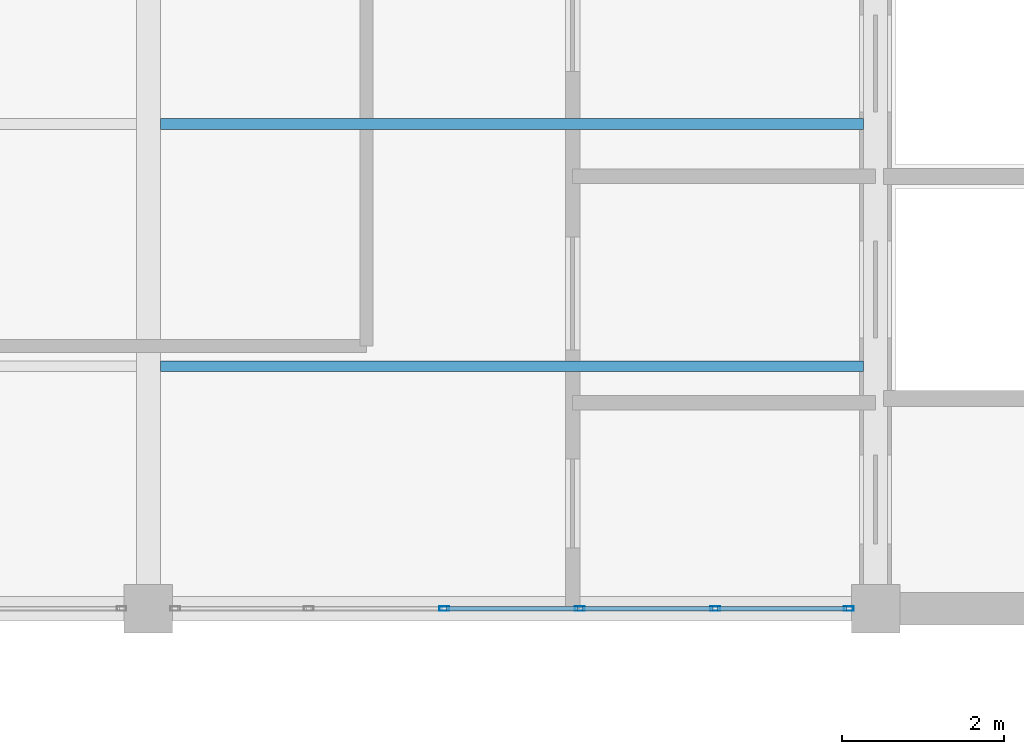
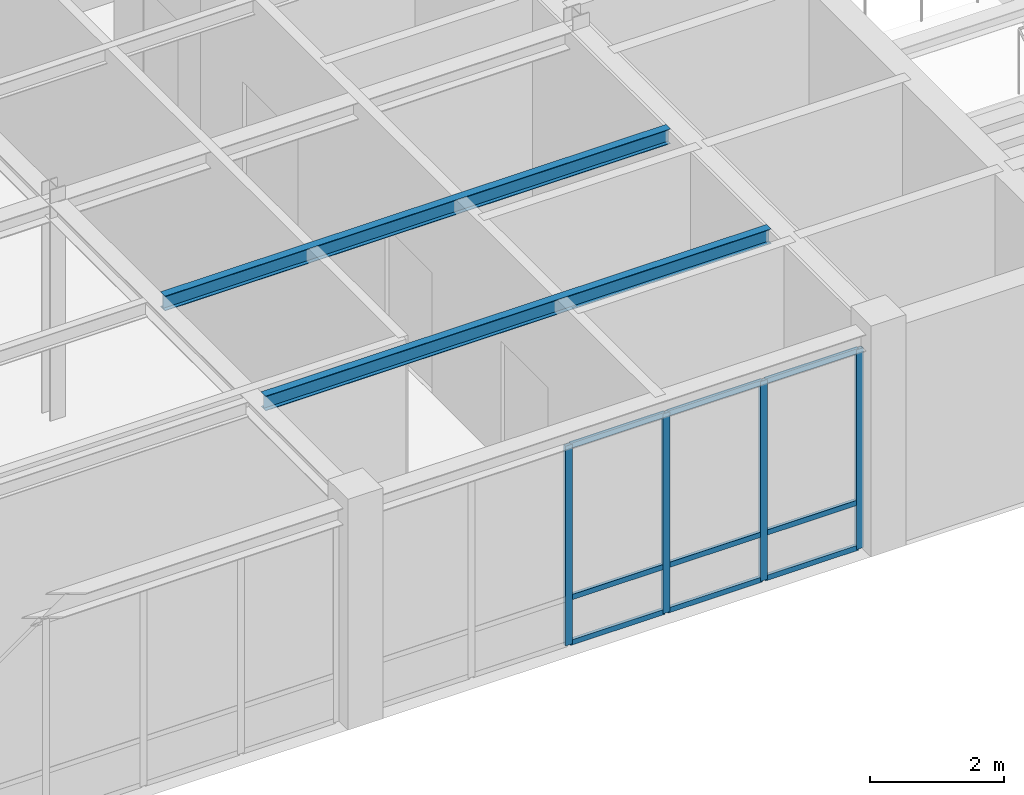
# One storey, part 95 of 130: 13 members, 2 beams, 1 element without a shape of its own.
"""IFC4 building model written with IfcOpenShell, lengths in metres."""

from ifc_helpers import new_model, si_unit, direction, frame, origin, origin_2d, place, context, subcontext, project, spatial, hollow_rectangle, i_section, extrude, material, material_profile, profile_set, type_object, element, aggregate, save


model = new_model("IFC4")

# Units and contexts
model_context = context("Model", 3, precision=1e-05, world=origin(), true_north=direction((0.0, 1.0)))
body_context = subcontext(model_context, "Body", "Model", "MODEL_VIEW")
ifc_project = project(units=[si_unit("LENGTHUNIT", "METRE"), si_unit("AREAUNIT", "SQUARE_METRE"), si_unit("VOLUMEUNIT", "CUBIC_METRE"), si_unit("PLANEANGLEUNIT", "RADIAN"), si_unit("MASSUNIT", "GRAM", prefix="KILO")], contexts=[model_context])

# Site, building, storey
site_placement = place(None, origin())
site = spatial("IfcSite", under=ifc_project, at=site_placement, CompositionType="ELEMENT")
building_placement = place(site_placement, origin())
building = spatial("IfcBuilding", under=site, at=building_placement, Name="Lykobir Media Centre", CompositionType="ELEMENT")
storey_placement = place(building_placement, frame((0.0, 0.0, 19.199951171875)))
storey = spatial("IfcBuildingStorey", under=building, at=storey_placement, Name="L04", CompositionType="ELEMENT", Elevation=19.199951171875)

# Curtain wall, members
ifc_material_1 = material(Name="Anodized Aluminium AW-6060", Category="aluminium")
curtain_wall_type = type_object("IfcCurtainWallType", Name="CW-COURT-B", PredefinedType="NOTDEFINED", material=ifc_material_1)
curtain_wall_placement = place(storey_placement, origin())
curtain_wall = element("IfcCurtainWall", 1, at=curtain_wall_placement, inside=storey, type_object=curtain_wall_type, Name="Curtain wall CW2-L04-0180", PredefinedType="NOTDEFINED")
ifc_material_profile_1 = material_profile(ifc_material_1, hollow_rectangle(XDim=0.054931640625, YDim=0.1201171875, WallThickness=0.003173828125, at=origin_2d()), Name="ALU MULLION 55x120")
ifc_profile_set_1 = profile_set([ifc_material_profile_1], Name="Anodized Aluminium AW-6060")
member_type_1 = type_object("IfcMemberType", Name="CWM-120", PredefinedType="MULLION", material=ifc_profile_set_1)
member_1_placement = place(storey_placement, frame((125.66748046875, 72.0, 0.0), z_axis=(0.0, 0.0, 1.0), x_axis=(0.0, -1.0, 0.0)))
member_1 = element("IfcMember", 2, at=member_1_placement, type_object=member_type_1, Name="CW2-L04-0180 mullion 1", PredefinedType="MULLION", context=body_context, shape_type="SweptSolid", body=[
    extrude(hollow_rectangle(XDim=0.054931640625, YDim=0.1201171875, WallThickness=0.003173828125, at=origin_2d()), origin(), (0.0, 0.0, 1.0), 3.635009765625),
])
member_2_placement = place(storey_placement, frame((124.01708984375, 72.0, 0.0), z_axis=(0.0, 0.0, 1.0), x_axis=(0.0, -1.0, 0.0)))
member_2 = element("IfcMember", 3, at=member_2_placement, type_object=member_type_1, Name="CW2-L04-0180 mullion 2", PredefinedType="MULLION", context=body_context, shape_type="SweptSolid", body=[
    extrude(hollow_rectangle(XDim=0.054931640625, YDim=0.1201171875, WallThickness=0.003173828125, at=origin_2d()), origin(), (0.0, 0.0, 1.0), 3.635009765625),
])
member_3_placement = place(storey_placement, frame((122.339111328125, 72.0, 0.0), z_axis=(0.0, 0.0, 1.0), x_axis=(0.0, -1.0, 0.0)))
member_3 = element("IfcMember", 4, at=member_3_placement, type_object=member_type_1, Name="CW2-L04-0180 mullion 3", PredefinedType="MULLION", context=body_context, shape_type="SweptSolid", body=[
    extrude(hollow_rectangle(XDim=0.054931640625, YDim=0.1201171875, WallThickness=0.003173828125, at=origin_2d()), origin(), (0.0, 0.0, 1.0), 3.635009765625),
])
member_4_placement = place(storey_placement, frame((120.660888671875, 72.0, 0.0), z_axis=(0.0, 0.0, 1.0), x_axis=(0.0, -1.0, 0.0)))
member_4 = element("IfcMember", 5, at=member_4_placement, type_object=member_type_1, Name="CW2-L04-0180 mullion 4", PredefinedType="MULLION", context=body_context, shape_type="SweptSolid", body=[
    extrude(hollow_rectangle(XDim=0.054931640625, YDim=0.1201171875, WallThickness=0.003173828125, at=origin_2d()), origin(), (0.0, 0.0, 1.0), 3.635009765625),
])
ifc_material_profile_2 = material_profile(ifc_material_1, hollow_rectangle(XDim=0.054931640625, YDim=0.094970703125, WallThickness=0.0029296875, at=origin_2d()), Name="ALU TRANSOM 55x95")
ifc_profile_set_2 = profile_set([ifc_material_profile_2], Name="Anodized Aluminium AW-6060")
member_type_2 = type_object("IfcMemberType", Name="CWT-095", PredefinedType="USERDEFINED", material=ifc_profile_set_2)
member_5_placement = place(storey_placement, frame((125.639892578125, 72.0, 0.027587890625), z_axis=(-1.0, 0.0, 0.0), x_axis=(0.0, -1.0, 0.0)))
member_5 = element("IfcMember", 6, at=member_5_placement, type_object=member_type_2, Name="CW2-L04-0180 transom 1.1", ObjectType="TRANSOM", PredefinedType="USERDEFINED", context=body_context, shape_type="SweptSolid", body=[
    extrude(hollow_rectangle(XDim=0.054931640625, YDim=0.094970703125, WallThickness=0.0029296875, at=origin_2d()), origin(), (0.0, 0.0, 1.0), 1.595458984375),
])
member_6_placement = place(storey_placement, frame((125.639892578125, 72.0, 0.85009765625), z_axis=(-1.0, 0.0, 0.0), x_axis=(0.0, -1.0, 0.0)))
member_6 = element("IfcMember", 7, at=member_6_placement, type_object=member_type_2, Name="CW2-L04-0180 transom 1.2", ObjectType="TRANSOM", PredefinedType="USERDEFINED", context=body_context, shape_type="SweptSolid", body=[
    extrude(hollow_rectangle(XDim=0.054931640625, YDim=0.094970703125, WallThickness=0.0029296875, at=origin_2d()), origin(), (0.0, 0.0, 1.0), 1.595458984375),
])
member_7_placement = place(storey_placement, frame((125.639892578125, 72.0, 3.607666015625), z_axis=(-1.0, 0.0, 0.0), x_axis=(0.0, -1.0, 0.0)))
member_7 = element("IfcMember", 8, at=member_7_placement, type_object=member_type_2, Name="CW2-L04-0180 transom 1.3", ObjectType="TRANSOM", PredefinedType="USERDEFINED", context=body_context, shape_type="SweptSolid", body=[
    extrude(hollow_rectangle(XDim=0.054931640625, YDim=0.094970703125, WallThickness=0.0029296875, at=origin_2d()), origin(), (0.0, 0.0, 1.0), 1.595458984375),
])
member_8_placement = place(storey_placement, frame((123.989501953125, 72.0, 0.027587890625), z_axis=(-1.0, 0.0, 0.0), x_axis=(0.0, -1.0, 0.0)))
member_8 = element("IfcMember", 9, at=member_8_placement, type_object=member_type_2, Name="CW2-L04-0180 transom 2.1", ObjectType="TRANSOM", PredefinedType="USERDEFINED", context=body_context, shape_type="SweptSolid", body=[
    extrude(hollow_rectangle(XDim=0.054931640625, YDim=0.094970703125, WallThickness=0.0029296875, at=origin_2d()), origin(), (0.0, 0.0, 1.0), 1.623046875),
])
member_9_placement = place(storey_placement, frame((123.989501953125, 72.0, 0.85009765625), z_axis=(-1.0, 0.0, 0.0), x_axis=(0.0, -1.0, 0.0)))
member_9 = element("IfcMember", 10, at=member_9_placement, type_object=member_type_2, Name="CW2-L04-0180 transom 2.2", ObjectType="TRANSOM", PredefinedType="USERDEFINED", context=body_context, shape_type="SweptSolid", body=[
    extrude(hollow_rectangle(XDim=0.054931640625, YDim=0.094970703125, WallThickness=0.0029296875, at=origin_2d()), origin(), (0.0, 0.0, 1.0), 1.623046875),
])
member_10_placement = place(storey_placement, frame((123.989501953125, 72.0, 3.607666015625), z_axis=(-1.0, 0.0, 0.0), x_axis=(0.0, -1.0, 0.0)))
member_10 = element("IfcMember", 11, at=member_10_placement, type_object=member_type_2, Name="CW2-L04-0180 transom 2.3", ObjectType="TRANSOM", PredefinedType="USERDEFINED", context=body_context, shape_type="SweptSolid", body=[
    extrude(hollow_rectangle(XDim=0.054931640625, YDim=0.094970703125, WallThickness=0.0029296875, at=origin_2d()), origin(), (0.0, 0.0, 1.0), 1.623046875),
])
member_11_placement = place(storey_placement, frame((122.3115234375, 72.0, 0.027587890625), z_axis=(-1.0, 0.0, 0.0), x_axis=(0.0, -1.0, 0.0)))
member_11 = element("IfcMember", 12, at=member_11_placement, type_object=member_type_2, Name="CW2-L04-0180 transom 3.1", ObjectType="TRANSOM", PredefinedType="USERDEFINED", context=body_context, shape_type="SweptSolid", body=[
    extrude(hollow_rectangle(XDim=0.054931640625, YDim=0.094970703125, WallThickness=0.0029296875, at=origin_2d()), origin(), (0.0, 0.0, 1.0), 1.623046875),
])
member_12_placement = place(storey_placement, frame((122.3115234375, 72.0, 0.85009765625), z_axis=(-1.0, 0.0, 0.0), x_axis=(0.0, -1.0, 0.0)))
member_12 = element("IfcMember", 13, at=member_12_placement, type_object=member_type_2, Name="CW2-L04-0180 transom 3.2", ObjectType="TRANSOM", PredefinedType="USERDEFINED", context=body_context, shape_type="SweptSolid", body=[
    extrude(hollow_rectangle(XDim=0.054931640625, YDim=0.094970703125, WallThickness=0.0029296875, at=origin_2d()), origin(), (0.0, 0.0, 1.0), 1.623046875),
])
member_13_placement = place(storey_placement, frame((122.3115234375, 72.0, 3.607666015625), z_axis=(-1.0, 0.0, 0.0), x_axis=(0.0, -1.0, 0.0)))
member_13 = element("IfcMember", 14, at=member_13_placement, type_object=member_type_2, Name="CW2-L04-0180 transom 3.3", ObjectType="TRANSOM", PredefinedType="USERDEFINED", context=body_context, shape_type="SweptSolid", body=[
    extrude(hollow_rectangle(XDim=0.054931640625, YDim=0.094970703125, WallThickness=0.0029296875, at=origin_2d()), origin(), (0.0, 0.0, 1.0), 1.623046875),
])
aggregate(curtain_wall, [member_1, member_2, member_3, member_4, member_5, member_6, member_7, member_8, member_9, member_10, member_11, member_12, member_13])

# Beams
ifc_material_2 = material(Name="Steel S355", Category="steel")
ifc_material_profile_3 = material_profile(ifc_material_2, i_section(OverallWidth=0.135009765625, OverallDepth=0.27001953125, WebThickness=0.006591796875, FlangeThickness=0.01025390625, at=origin_2d()), Name="IPE 270")
ifc_profile_set_3 = profile_set([ifc_material_profile_3], Name="Steel S355")
beam_type = type_object("IfcBeamType", Name="JS-IPE270", PredefinedType="JOIST", material=ifc_profile_set_3)
for number, where, z_axis, x_axis, name in (
    (15, (117.14990234375, 75.0, 3.824951171875), (1.0, 0.0, 0.0), (0.0, 1.0, 0.0), "Beam BM-L04-1172-0750-1258-0750-2302"),
    (16, (117.14990234375, 78.0, 3.824951171875), (1.0, 0.0, 0.0), (0.0, 1.0, 0.0), "Beam BM-L04-1172-0780-1258-0780-2302"),
):
    element("IfcBeam", number, at=place(storey_placement, frame(where, z_axis=z_axis, x_axis=x_axis)), inside=storey, type_object=beam_type, Name=name, PredefinedType="JOIST", context=body_context, shape_type="SweptSolid", body=[
        extrude(i_section(OverallWidth=0.135009765625, OverallDepth=0.27001953125, WebThickness=0.006591796875, FlangeThickness=0.01025390625, at=origin_2d()), origin(), (0.0, 0.0, 1.0), 8.7001953125),
    ])

save(model, "model.ifc")
